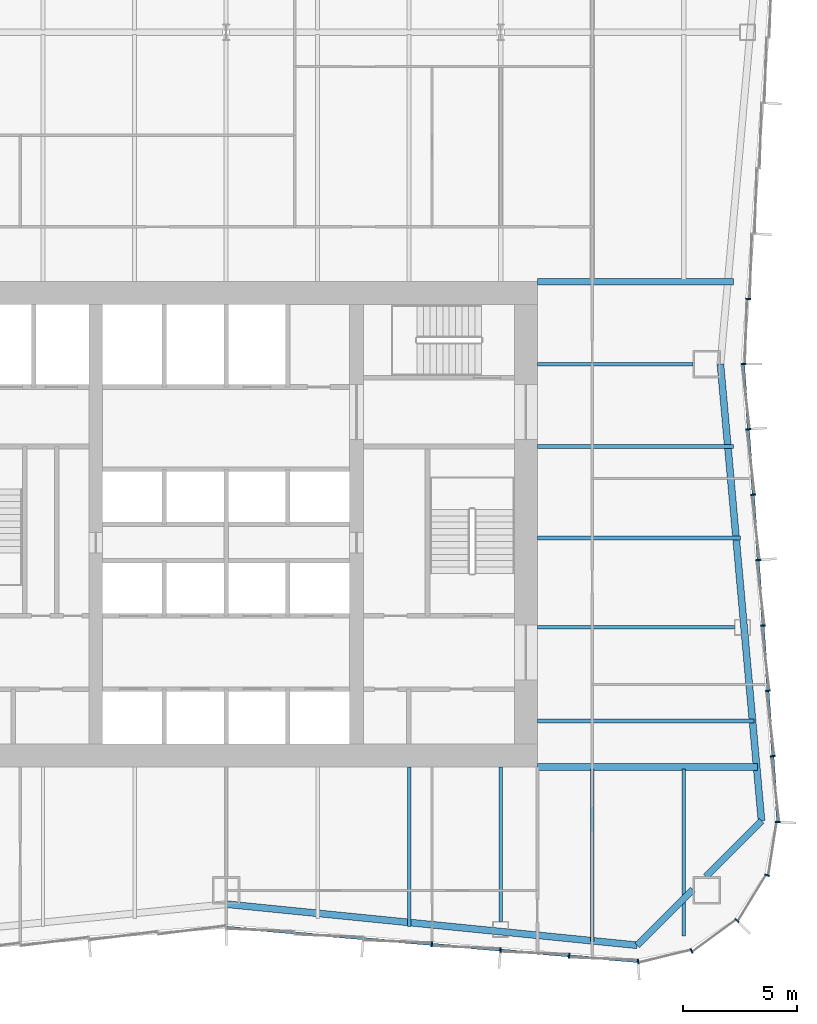
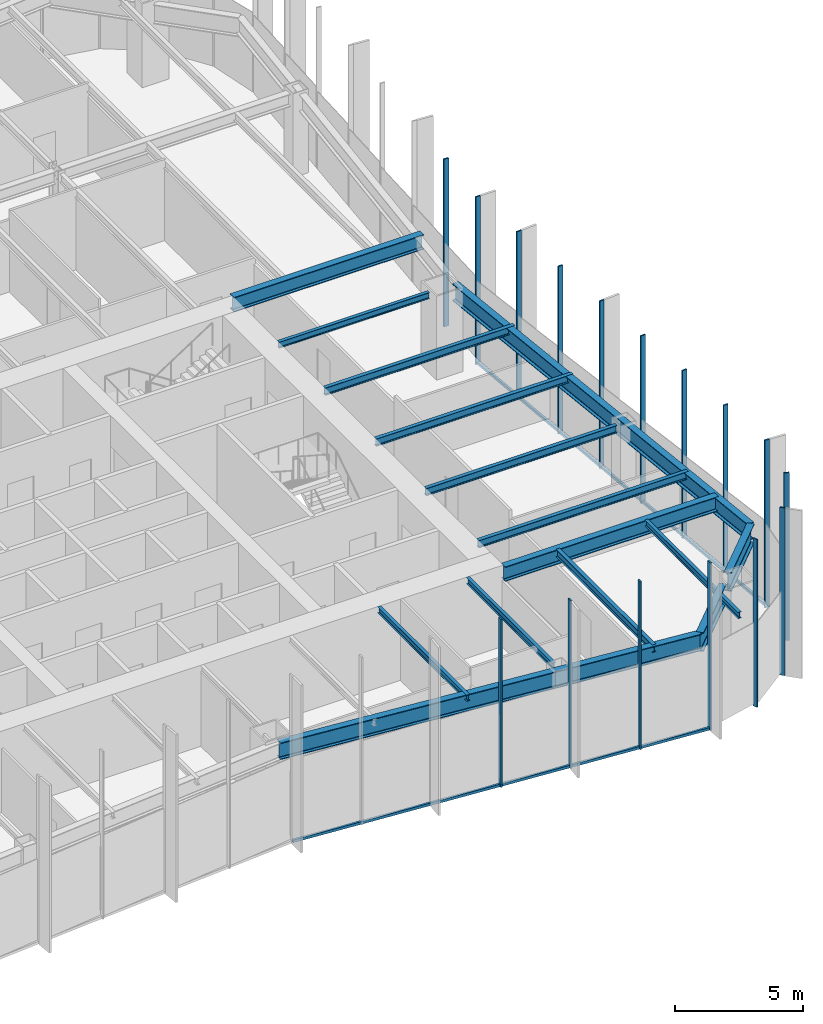
# One storey, part 4 of 14: 18 members, 15 beams, 3 elements without a shape of their own.
"""IFC4 building model written with IfcOpenShell, lengths in metres."""

from ifc_helpers import new_model, si_unit, direction, frame, origin, origin_2d, place, context, subcontext, project, spatial, rectangle, i_section, extrude, material, material_profile, profile_set, type_object, element, aggregate, save


model = new_model("IFC4")

# Units and contexts
model_context = context("Model", 3, precision=1e-05, world=origin(), true_north=direction((0.0, 1.0)))
body_context = subcontext(model_context, "Body", "Model", "MODEL_VIEW")
ifc_project = project(units=[si_unit("LENGTHUNIT", "METRE"), si_unit("AREAUNIT", "SQUARE_METRE"), si_unit("VOLUMEUNIT", "CUBIC_METRE"), si_unit("PLANEANGLEUNIT", "RADIAN"), si_unit("MASSUNIT", "GRAM", prefix="KILO")], contexts=[model_context])

# Site, building, storey
site_placement = place(None, origin())
site = spatial("IfcSite", under=ifc_project, at=site_placement, CompositionType="ELEMENT")
building_placement = place(site_placement, origin())
building = spatial("IfcBuilding", under=site, at=building_placement, Name="Verdant Reach Tower", CompositionType="ELEMENT")
storey_placement = place(building_placement, frame((0.0, 0.0, 162.0)))
storey = spatial("IfcBuildingStorey", under=building, at=storey_placement, Name="L37", CompositionType="ELEMENT", Elevation=162.0)

# Curtain wall, members
ifc_material_1 = material(Name="Anodised aluminium", Category="aluminium")
curtain_wall_type = type_object("IfcCurtainWallType", Name="EN-CW SYSTEM Z2", PredefinedType="NOTDEFINED", material=ifc_material_1)
curtain_wall_1_placement = place(storey_placement, origin())
curtain_wall_1 = element("IfcCurtainWall", 1, at=curtain_wall_1_placement, inside=storey, type_object=curtain_wall_type, Name="Curtain wall south-east corner, L37", PredefinedType="NOTDEFINED")
ifc_material_profile_1 = material_profile(ifc_material_1, rectangle(XDim=0.2119140625, YDim=0.06396484375, at=origin_2d()), Name="Mullion 64x212")
ifc_profile_set_1 = profile_set([ifc_material_profile_1], Name="Anodised aluminium")
member_type_1 = type_object("IfcMemberType", Name="EN-MULLION Z2", PredefinedType="MULLION", material=ifc_profile_set_1)
member_1_placement = place(storey_placement, frame((18.006103515625, 8.894287109375, -0.35009765625), z_axis=(0.0, 0.0, 1.0), x_axis=(0.056569187765, -0.998398681387, 0.0)))
member_1 = element("IfcMember", 2, at=member_1_placement, type_object=member_type_1, Name="Mullion south-east corner 1, L37", PredefinedType="MULLION", context=body_context, shape_type="SweptSolid", body=[
    extrude(rectangle(XDim=0.2119140625, YDim=0.06396484375, at=origin_2d()), origin(), (0.0, 0.0, 1.0), 8.0),
])
member_2_placement = place(storey_placement, frame((20.336669921875, 9.35888671875, -0.35009765625), z_axis=(0.0, 0.0, 1.0), x_axis=(0.382693853776, -0.923875215753, 0.0)))
member_2 = element("IfcMember", 3, at=member_2_placement, type_object=member_type_1, Name="Mullion south-east corner 2, L37", PredefinedType="MULLION", context=body_context, shape_type="SweptSolid", body=[
    extrude(rectangle(XDim=0.2119140625, YDim=0.06396484375, at=origin_2d()), origin(), (0.0, 0.0, 1.0), 8.0),
])
member_3_placement = place(storey_placement, frame((22.317626953125, 10.682373046875, -0.35009765625), z_axis=(0.0, 0.0, 1.0), x_axis=(0.707106781187, -0.707106781187, 0.0)))
member_3 = element("IfcMember", 4, at=member_3_placement, type_object=member_type_1, Name="Mullion south-east corner 3, L37", PredefinedType="MULLION", context=body_context, shape_type="SweptSolid", body=[
    extrude(rectangle(XDim=0.2119140625, YDim=0.06396484375, at=origin_2d()), origin(), (0.0, 0.0, 1.0), 8.0),
])
member_4_placement = place(storey_placement, frame((23.64111328125, 12.663330078125, -0.35009765625), z_axis=(0.0, 0.0, 1.0), x_axis=(0.923875215753, -0.382693853776, 0.0)))
member_4 = element("IfcMember", 5, at=member_4_placement, type_object=member_type_1, Name="Mullion south-east corner 4, L37", PredefinedType="MULLION", context=body_context, shape_type="SweptSolid", body=[
    extrude(rectangle(XDim=0.2119140625, YDim=0.06396484375, at=origin_2d()), origin(), (0.0, 0.0, 1.0), 8.0),
])
aggregate(curtain_wall_1, [member_1, member_2, member_3, member_4])

curtain_wall_2_placement = place(storey_placement, origin())
curtain_wall_2 = element("IfcCurtainWall", 6, at=curtain_wall_2_placement, inside=storey, type_object=curtain_wall_type, Name="Curtain wall east, L37", PredefinedType="NOTDEFINED")
member_5_placement = place(storey_placement, frame((24.105712890625, 14.99365234375, -0.35009765625), z_axis=(0.0, 0.0, 1.0), x_axis=(0.998155887542, -0.060702752526, 0.0)))
member_5 = element("IfcMember", 7, at=member_5_placement, type_object=member_type_1, Name="Mullion east face part 1 1, L37", PredefinedType="MULLION", context=body_context, shape_type="SweptSolid", body=[
    extrude(rectangle(XDim=0.2119140625, YDim=0.06396484375, at=origin_2d()), origin(), (0.0, 0.0, 1.0), 8.0),
])
member_6_placement = place(storey_placement, frame((23.891357421875, 17.864990234375, -0.35009765625), z_axis=(0.0, 0.0, 1.0), x_axis=(0.997199309888, 0.074789948245, 0.0)))
member_6 = element("IfcMember", 8, at=member_6_placement, type_object=member_type_1, Name="Mullion east face part 1 2, L37", PredefinedType="MULLION", context=body_context, shape_type="SweptSolid", body=[
    extrude(rectangle(XDim=0.2119140625, YDim=0.06396484375, at=origin_2d()), origin(), (0.0, 0.0, 1.0), 8.0),
])
member_7_placement = place(storey_placement, frame((23.67724609375, 20.72216796875, -0.35009765625), z_axis=(0.0, 0.0, 1.0), x_axis=(0.997199309888, 0.074789948245, 0.0)))
member_7 = element("IfcMember", 9, at=member_7_placement, type_object=member_type_1, Name="Mullion east face part 1 3, L37", PredefinedType="MULLION", context=body_context, shape_type="SweptSolid", body=[
    extrude(rectangle(XDim=0.2119140625, YDim=0.06396484375, at=origin_2d()), origin(), (0.0, 0.0, 1.0), 8.0),
])
member_8_placement = place(storey_placement, frame((23.462890625, 23.579345703125, -0.35009765625), z_axis=(0.0, 0.0, 1.0), x_axis=(0.997199309888, 0.074789948245, 0.0)))
member_8 = element("IfcMember", 10, at=member_8_placement, type_object=member_type_1, Name="Mullion east face part 1 4, L37", PredefinedType="MULLION", context=body_context, shape_type="SweptSolid", body=[
    extrude(rectangle(XDim=0.2119140625, YDim=0.06396484375, at=origin_2d()), origin(), (0.0, 0.0, 1.0), 8.0),
])
member_9_placement = place(storey_placement, frame((23.24853515625, 26.4365234375, -0.35009765625), z_axis=(0.0, 0.0, 1.0), x_axis=(0.997199309888, 0.074789948245, 0.0)))
member_9 = element("IfcMember", 11, at=member_9_placement, type_object=member_type_1, Name="Mullion east face part 1 5, L37", PredefinedType="MULLION", context=body_context, shape_type="SweptSolid", body=[
    extrude(rectangle(XDim=0.2119140625, YDim=0.06396484375, at=origin_2d()), origin(), (0.0, 0.0, 1.0), 8.0),
])
member_10_placement = place(storey_placement, frame((23.0341796875, 29.293701171875, -0.35009765625), z_axis=(0.0, 0.0, 1.0), x_axis=(0.997199309888, 0.074789948245, 0.0)))
member_10 = element("IfcMember", 12, at=member_10_placement, type_object=member_type_1, Name="Mullion east face part 1 6, L37", PredefinedType="MULLION", context=body_context, shape_type="SweptSolid", body=[
    extrude(rectangle(XDim=0.2119140625, YDim=0.06396484375, at=origin_2d()), origin(), (0.0, 0.0, 1.0), 8.0),
])
member_11_placement = place(storey_placement, frame((22.820068359375, 32.15087890625, -0.35009765625), z_axis=(0.0, 0.0, 1.0), x_axis=(0.997199309888, 0.074789948245, 0.0)))
member_11 = element("IfcMember", 13, at=member_11_placement, type_object=member_type_1, Name="Mullion east face part 1 7, L37", PredefinedType="MULLION", context=body_context, shape_type="SweptSolid", body=[
    extrude(rectangle(XDim=0.2119140625, YDim=0.06396484375, at=origin_2d()), origin(), (0.0, 0.0, 1.0), 8.0),
])
member_12_placement = place(storey_placement, frame((22.60595703125, 35.0, -0.35009765625), z_axis=(0.0, 0.0, 1.0), x_axis=(1.0, 0.0, 0.0)))
member_12 = element("IfcMember", 14, at=member_12_placement, type_object=member_type_1, Name="Mullion east face part 2 1, L37", PredefinedType="MULLION", context=body_context, shape_type="SweptSolid", body=[
    extrude(rectangle(XDim=0.2119140625, YDim=0.06396484375, at=origin_2d()), origin(), (0.0, 0.0, 1.0), 8.0),
])
member_13_placement = place(storey_placement, frame((22.820068359375, 37.84912109375, -0.35009765625), z_axis=(0.0, 0.0, 1.0), x_axis=(0.997199309888, -0.074789948245, 0.0)))
member_13 = element("IfcMember", 15, at=member_13_placement, type_object=member_type_1, Name="Mullion east face part 2 2, L37", PredefinedType="MULLION", context=body_context, shape_type="SweptSolid", body=[
    extrude(rectangle(XDim=0.2119140625, YDim=0.06396484375, at=origin_2d()), origin(), (0.0, 0.0, 1.0), 8.0),
])

curtain_wall_3_placement = place(storey_placement, origin())
curtain_wall_3 = element("IfcCurtainWall", 16, at=curtain_wall_3_placement, inside=storey, type_object=curtain_wall_type, Name="Curtain wall south, L37", PredefinedType="NOTDEFINED")
member_14_placement = place(storey_placement, frame((8.9912109375, 9.644287109375, -0.35009765625), z_axis=(0.0, 0.0, 1.0), x_axis=(-0.083045479859, -0.996545758244, 0.0)))
member_14 = element("IfcMember", 17, at=member_14_placement, type_object=member_type_1, Name="Mullion south face part 2 4, L37", PredefinedType="MULLION", context=body_context, shape_type="SweptSolid", body=[
    extrude(rectangle(XDim=0.2119140625, YDim=0.06396484375, at=origin_2d()), origin(), (0.0, 0.0, 1.0), 8.0),
])
member_15_placement = place(storey_placement, frame((11.9912109375, 9.394287109375, -0.35009765625), z_axis=(0.0, 0.0, 1.0), x_axis=(-0.083045479859, -0.996545758244, 0.0)))
member_15 = element("IfcMember", 18, at=member_15_placement, type_object=member_type_1, Name="Mullion south face part 2 5, L37", PredefinedType="MULLION", context=body_context, shape_type="SweptSolid", body=[
    extrude(rectangle(XDim=0.2119140625, YDim=0.06396484375, at=origin_2d()), origin(), (0.0, 0.0, 1.0), 8.0),
])
member_16_placement = place(storey_placement, frame((14.9912109375, 9.144287109375, -0.35009765625), z_axis=(0.0, 0.0, 1.0), x_axis=(-0.083045479859, -0.996545758244, 0.0)))
member_16 = element("IfcMember", 19, at=member_16_placement, type_object=member_type_1, Name="Mullion south face part 2 6, L37", PredefinedType="MULLION", context=body_context, shape_type="SweptSolid", body=[
    extrude(rectangle(XDim=0.2119140625, YDim=0.06396484375, at=origin_2d()), origin(), (0.0, 0.0, 1.0), 8.0),
])

# Member
ifc_material_profile_2 = material_profile(ifc_material_1, rectangle(XDim=0.10009765625, YDim=0.1240234375, at=origin_2d()), Name="Transom 124x100")
ifc_profile_set_2 = profile_set([ifc_material_profile_2], Name="Anodised aluminium")
member_type_2 = type_object("IfcMemberType", Name="EN-TRANSOM Z2", PredefinedType="USERDEFINED", material=ifc_profile_set_2)
member_17_placement = place(storey_placement, frame((24.103515625, 15.025390625, -0.2880859375), z_axis=(-0.07476111665, 0.997201471839, 0.0), x_axis=(-0.997201471839, -0.07476111665, 0.0)))
member_17 = element("IfcMember", 20, at=member_17_placement, type_object=member_type_2, Name="Transom east face part 1 1.1, L37", ObjectType="TRANSOM", PredefinedType="USERDEFINED", context=body_context, shape_type="SweptSolid", body=[
    extrude(rectangle(XDim=0.10009765625, YDim=0.1240234375, at=origin_2d()), origin(), (0.0, 0.0, 1.0), 19.99853515625),
])

aggregate(curtain_wall_2, [member_5, member_6, member_7, member_8, member_9, member_10, member_11, member_17, member_12, member_13])

member_18_placement = place(storey_placement, frame((0.031982421875, 10.391357421875, -0.2880859375), z_axis=(0.996548282776, -0.083015179915, 0.0), x_axis=(0.083015179915, 0.996548282776, 0.0)))
member_18 = element("IfcMember", 21, at=member_18_placement, type_object=member_type_2, Name="Transom south face part 2 1.1, L37", ObjectType="TRANSOM", PredefinedType="USERDEFINED", context=body_context, shape_type="SweptSolid", body=[
    extrude(rectangle(XDim=0.10009765625, YDim=0.1240234375, at=origin_2d()), origin(), (0.0, 0.0, 1.0), 18.00439453125),
])

aggregate(curtain_wall_3, [member_14, member_15, member_16, member_18])

# Beams
ifc_material_2 = material(Name="Steel S355", Category="steel")
ifc_material_profile_3 = material_profile(ifc_material_2, i_section(OverallWidth=0.300048828125, OverallDepth=0.699951171875, WebThickness=0.01708984375, FlangeThickness=0.031982421875, FilletRadius=0.027099609375, at=origin_2d()), Name="HEB 700")
ifc_profile_set_3 = profile_set([ifc_material_profile_3], Name="Steel S355")
beam_type_1 = type_object("IfcBeamType", Name="ST-BEAM-HEB700", PredefinedType="BEAM", material=ifc_profile_set_3)
beam_1_placement = place(storey_placement, frame((13.60009765625, 38.60009765625, 3.52001953125), z_axis=(1.0, 0.0, 0.0), x_axis=(0.0, 1.0, 0.0)))
element("IfcBeam", 22, at=beam_1_placement, inside=storey, type_object=beam_type_1, Name="Trimmer beam, L37", PredefinedType="BEAM", context=body_context, shape_type="SweptSolid", body=[
    extrude(i_section(OverallWidth=0.300048828125, OverallDepth=0.699951171875, WebThickness=0.01708984375, FlangeThickness=0.031982421875, FilletRadius=0.027099609375, at=origin_2d()), origin(), (0.0, 0.0, 1.0), 8.568115234375),
])
beam_2_placement = place(storey_placement, frame((13.60009765625, 17.39990234375, 3.52001953125), z_axis=(1.0, 0.0, 0.0), x_axis=(0.0, 1.0, 0.0)))
element("IfcBeam", 23, at=beam_2_placement, inside=storey, type_object=beam_type_1, Name="Trimmer beam, L37", PredefinedType="BEAM", context=body_context, shape_type="SweptSolid", body=[
    extrude(i_section(OverallWidth=0.300048828125, OverallDepth=0.699951171875, WebThickness=0.01708984375, FlangeThickness=0.031982421875, FilletRadius=0.027099609375, at=origin_2d()), origin(), (0.0, 0.0, 1.0), 9.6181640625),
])
ifc_material_profile_4 = material_profile(ifc_material_2, i_section(OverallWidth=0.14990234375, OverallDepth=0.300048828125, WebThickness=0.007080078125, FlangeThickness=0.0107421875, FilletRadius=0.014892578125, at=origin_2d()), Name="IPE 300")
ifc_profile_set_4 = profile_set([ifc_material_profile_4], Name="Steel S355")
beam_type_2 = type_object("IfcBeamType", Name="ST-JOIST-IPE300", PredefinedType="JOIST", material=ifc_profile_set_4)
beam_3_placement = place(storey_placement, frame((8.0, 17.39990234375, 3.719970703125), z_axis=(0.0, -1.0, 0.0), x_axis=(1.0, 0.0, 0.0)))
element("IfcBeam", 24, at=beam_3_placement, inside=storey, type_object=beam_type_2, Name="Floor joist, L37", PredefinedType="JOIST", context=body_context, shape_type="SweptSolid", body=[
    extrude(i_section(OverallWidth=0.14990234375, OverallDepth=0.300048828125, WebThickness=0.007080078125, FlangeThickness=0.0107421875, FilletRadius=0.014892578125, at=origin_2d()), origin(), (0.0, 0.0, 1.0), 6.964599609375),
])
beam_4_placement = place(storey_placement, frame((12.0, 17.39990234375, 3.719970703125), z_axis=(0.0, -1.0, 0.0), x_axis=(1.0, 0.0, 0.0)))
element("IfcBeam", 25, at=beam_4_placement, inside=storey, type_object=beam_type_2, Name="Floor joist, L37", PredefinedType="JOIST", context=body_context, shape_type="SweptSolid", body=[
    extrude(i_section(OverallWidth=0.14990234375, OverallDepth=0.300048828125, WebThickness=0.007080078125, FlangeThickness=0.0107421875, FilletRadius=0.014892578125, at=origin_2d()), origin(), (0.0, 0.0, 1.0), 6.75),
])
beam_5_placement = place(storey_placement, frame((20.0, 17.300048828125, 3.719970703125), z_axis=(0.0, -1.0, 0.0), x_axis=(1.0, 0.0, 0.0)))
element("IfcBeam", 26, at=beam_5_placement, inside=storey, type_object=beam_type_2, Name="Floor joist, L37", PredefinedType="JOIST", context=body_context, shape_type="SweptSolid", body=[
    extrude(i_section(OverallWidth=0.14990234375, OverallDepth=0.300048828125, WebThickness=0.007080078125, FlangeThickness=0.0107421875, FilletRadius=0.014892578125, at=origin_2d()), origin(), (0.0, 0.0, 1.0), 7.29052734375),
])
beam_6_placement = place(storey_placement, frame((13.60009765625, 35.0, 3.719970703125), z_axis=(1.0, 0.0, 0.0), x_axis=(0.0, 1.0, 0.0)))
element("IfcBeam", 27, at=beam_6_placement, inside=storey, type_object=beam_type_2, Name="Floor joist, L37", PredefinedType="JOIST", context=body_context, shape_type="SweptSolid", body=[
    extrude(i_section(OverallWidth=0.14990234375, OverallDepth=0.300048828125, WebThickness=0.007080078125, FlangeThickness=0.0107421875, FilletRadius=0.014892578125, at=origin_2d()), origin(), (0.0, 0.0, 1.0), 6.7998046875),
])
ifc_material_profile_5 = material_profile(ifc_material_2, i_section(OverallWidth=0.169921875, OverallDepth=0.360107421875, WebThickness=0.008056640625, FlangeThickness=0.0126953125, FilletRadius=0.01806640625, at=origin_2d()), Name="IPE 360")
ifc_profile_set_5 = profile_set([ifc_material_profile_5], Name="Steel S355")
beam_type_3 = type_object("IfcBeamType", Name="ST-JOIST-IPE360", PredefinedType="JOIST", material=ifc_profile_set_5)
beam_7_placement = place(storey_placement, frame((16.0, 17.300048828125, 3.68994140625), z_axis=(0.0, -1.0, 0.0), x_axis=(1.0, 0.0, 0.0)))
element("IfcBeam", 28, at=beam_7_placement, inside=storey, type_object=beam_type_3, Name="Floor joist, L37", PredefinedType="JOIST", context=body_context, shape_type="SweptSolid", body=[
    extrude(i_section(OverallWidth=0.169921875, OverallDepth=0.360107421875, WebThickness=0.008056640625, FlangeThickness=0.0126953125, FilletRadius=0.01806640625, at=origin_2d()), origin(), (0.0, 0.0, 1.0), 7.53125),
])
beam_8_placement = place(storey_placement, frame((13.60009765625, 19.39990234375, 3.68994140625), z_axis=(1.0, 0.0, 0.0), x_axis=(0.0, 1.0, 0.0)))
element("IfcBeam", 29, at=beam_8_placement, inside=storey, type_object=beam_type_3, Name="Floor joist, L37", PredefinedType="JOIST", context=body_context, shape_type="SweptSolid", body=[
    extrude(i_section(OverallWidth=0.169921875, OverallDepth=0.360107421875, WebThickness=0.008056640625, FlangeThickness=0.0126953125, FilletRadius=0.01806640625, at=origin_2d()), origin(), (0.0, 0.0, 1.0), 9.46826171875),
])
beam_9_placement = place(storey_placement, frame((13.60009765625, 23.5, 3.68994140625), z_axis=(1.0, 0.0, 0.0), x_axis=(0.0, 1.0, 0.0)))
element("IfcBeam", 30, at=beam_9_placement, inside=storey, type_object=beam_type_3, Name="Floor joist, L37", PredefinedType="JOIST", context=body_context, shape_type="SweptSolid", body=[
    extrude(i_section(OverallWidth=0.169921875, OverallDepth=0.360107421875, WebThickness=0.008056640625, FlangeThickness=0.0126953125, FilletRadius=0.01806640625, at=origin_2d()), origin(), (0.0, 0.0, 1.0), 8.6123046875),
])
beam_10_placement = place(storey_placement, frame((13.60009765625, 27.39990234375, 3.68994140625), z_axis=(1.0, 0.0, 0.0), x_axis=(0.0, 1.0, 0.0)))
element("IfcBeam", 31, at=beam_10_placement, inside=storey, type_object=beam_type_3, Name="Floor joist, L37", PredefinedType="JOIST", context=body_context, shape_type="SweptSolid", body=[
    extrude(i_section(OverallWidth=0.169921875, OverallDepth=0.360107421875, WebThickness=0.008056640625, FlangeThickness=0.0126953125, FilletRadius=0.01806640625, at=origin_2d()), origin(), (0.0, 0.0, 1.0), 8.8681640625),
])
beam_11_placement = place(storey_placement, frame((13.60009765625, 31.39990234375, 3.68994140625), z_axis=(1.0, 0.0, 0.0), x_axis=(0.0, 1.0, 0.0)))
element("IfcBeam", 32, at=beam_11_placement, inside=storey, type_object=beam_type_3, Name="Floor joist, L37", PredefinedType="JOIST", context=body_context, shape_type="SweptSolid", body=[
    extrude(i_section(OverallWidth=0.169921875, OverallDepth=0.360107421875, WebThickness=0.008056640625, FlangeThickness=0.0126953125, FilletRadius=0.01806640625, at=origin_2d()), origin(), (0.0, 0.0, 1.0), 8.568115234375),
])
ifc_material_profile_6 = material_profile(ifc_material_2, i_section(OverallWidth=0.300048828125, OverallDepth=0.800048828125, WebThickness=0.017578125, FlangeThickness=0.032958984375, FilletRadius=0.030029296875, at=origin_2d()), Name="HEB 800")
ifc_profile_set_6 = profile_set([ifc_material_profile_6], Name="Steel S355")
beam_type_4 = type_object("IfcBeamType", Name="ST-SPANDREL-HEB800", PredefinedType="SPANDREL", material=ifc_profile_set_6)
beam_12_placement = place(storey_placement, frame((17.9658203125, 9.60498046875, 3.469970703125), z_axis=(-0.995046289869, 0.099412680371, 0.0), x_axis=(-0.099412680371, -0.995046289869, 0.0)))
element("IfcBeam", 33, at=beam_12_placement, inside=storey, type_object=beam_type_4, Name="Edge beam, L37", PredefinedType="SPANDREL", context=body_context, shape_type="SweptSolid", body=[
    extrude(i_section(OverallWidth=0.300048828125, OverallDepth=0.800048828125, WebThickness=0.017578125, FlangeThickness=0.032958984375, FilletRadius=0.030029296875, at=origin_2d()), origin(), (0.0, 0.0, 1.0), 18.05517578125),
])
beam_13_placement = place(storey_placement, frame((21.60009765625, 35.0, 3.469970703125), z_axis=(0.089574749266, -0.995980102358, 0.0), x_axis=(0.995980102358, 0.089574749266, 0.0)))
element("IfcBeam", 34, at=beam_13_placement, inside=storey, type_object=beam_type_4, Name="Edge beam, L37", PredefinedType="SPANDREL", context=body_context, shape_type="SweptSolid", body=[
    extrude(i_section(OverallWidth=0.300048828125, OverallDepth=0.800048828125, WebThickness=0.017578125, FlangeThickness=0.032958984375, FilletRadius=0.030029296875, at=origin_2d()), origin(), (0.0, 0.0, 1.0), 20.043701171875),
])
ifc_material_profile_7 = material_profile(ifc_material_2, i_section(OverallWidth=0.302001953125, OverallDepth=0.909912109375, WebThickness=0.02099609375, FlangeThickness=0.0400390625, FilletRadius=0.030029296875, at=origin_2d()), Name="HEM 900")
ifc_profile_set_7 = profile_set([ifc_material_profile_7], Name="Steel S355")
beam_type_5 = type_object("IfcBeamType", Name="ST-SPANDREL-HEM900", PredefinedType="SPANDREL", material=ifc_profile_set_7)
beam_14_placement = place(storey_placement, frame((23.3955078125, 15.036865234375, 3.4150390625), z_axis=(-0.706965048022, -0.707248485948, 0.0), x_axis=(0.707248485948, -0.706965048022, 0.0)))
element("IfcBeam", 35, at=beam_14_placement, inside=storey, type_object=beam_type_5, Name="Edge beam, L37", PredefinedType="SPANDREL", context=body_context, shape_type="SweptSolid", body=[
    extrude(i_section(OverallWidth=0.302001953125, OverallDepth=0.909912109375, WebThickness=0.02099609375, FlangeThickness=0.0400390625, FilletRadius=0.030029296875, at=origin_2d()), origin(), (0.0, 0.0, 1.0), 3.4453125),
])
beam_15_placement = place(storey_placement, frame((20.39990234375, 12.0400390625, 3.4150390625), z_axis=(-0.70696494852, -0.70724858541, 0.0), x_axis=(0.70724858541, -0.70696494852, 0.0)))
element("IfcBeam", 36, at=beam_15_placement, inside=storey, type_object=beam_type_5, Name="Edge beam, L37", PredefinedType="SPANDREL", context=body_context, shape_type="SweptSolid", body=[
    extrude(i_section(OverallWidth=0.302001953125, OverallDepth=0.909912109375, WebThickness=0.02099609375, FlangeThickness=0.0400390625, FilletRadius=0.030029296875, at=origin_2d()), origin(), (0.0, 0.0, 1.0), 3.443115234375),
])

save(model, "model.ifc")
